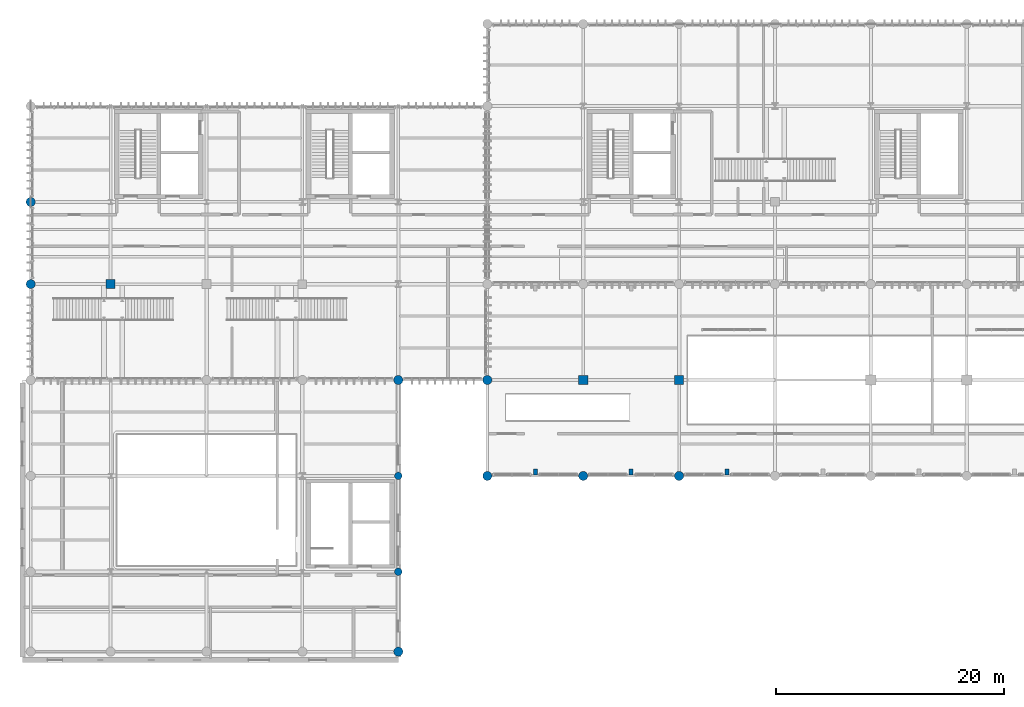
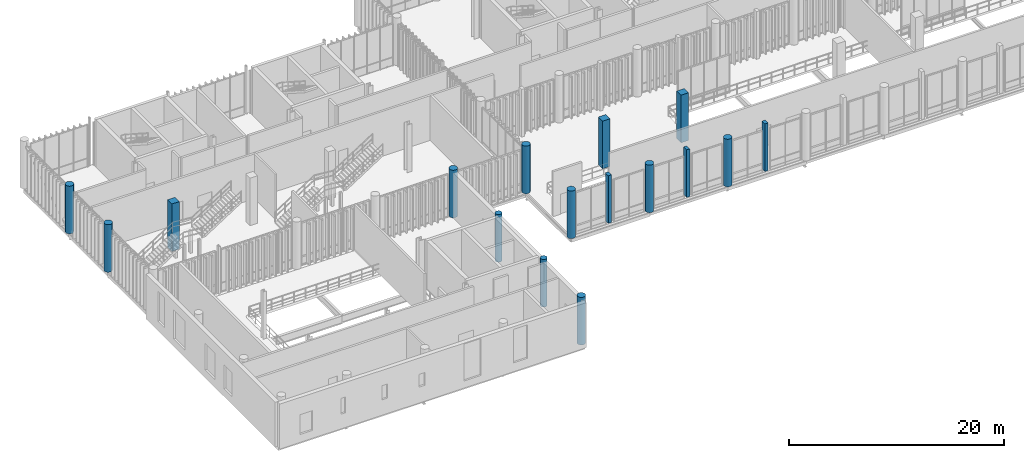
# One storey, part 2 of 128: 16 columns.
"""IFC4 building model written with IfcOpenShell, lengths in metres."""

from ifc_helpers import new_model, si_unit, direction, frame, origin_with_axes, origin_2d_with_axis, place, context, subcontext, project, spatial, rectangle, circle, extrude, material, material_profile, profile_set, type_object, element, save


model = new_model("IFC4")

# Units and contexts
model_context = context("Model", 3, precision=1e-05, world=origin_with_axes(), true_north=direction((0.0, 1.0)))
body_context = subcontext(model_context, "Body", "Model", "MODEL_VIEW")
ifc_project = project(units=[si_unit("LENGTHUNIT", "METRE"), si_unit("AREAUNIT", "SQUARE_METRE"), si_unit("VOLUMEUNIT", "CUBIC_METRE"), si_unit("PLANEANGLEUNIT", "RADIAN"), si_unit("MASSUNIT", "GRAM", prefix="KILO"), si_unit("THERMODYNAMICTEMPERATUREUNIT", "KELVIN")], contexts=[model_context])

# Site, building, storey
site_placement = place(None, origin_with_axes())
site = spatial("IfcSite", under=ifc_project, at=site_placement, CompositionType="ELEMENT")
building_placement = place(site_placement, origin_with_axes())
building = spatial("IfcBuilding", under=site, at=building_placement, Name="Montbau Bow Law Courts", CompositionType="ELEMENT")
storey_placement = place(building_placement, frame((0.0, 0.0, 5.4), z_axis=(0.0, 0.0, 1.0), x_axis=(1.0, 0.0, 0.0)))
storey = spatial("IfcBuildingStorey", under=building, at=storey_placement, Name="L01", CompositionType="ELEMENT", Elevation=5.4)

# Columns
ifc_material_1 = material(Name="Concrete CSA A23.1 f'c 40 MPa", Category="concrete")
ifc_material_profile_1 = material_profile(ifc_material_1, rectangle(XDim=0.35, YDim=0.55, at=origin_2d_with_axis()), Name="RC550X350", Category="Main", Priority=0)
ifc_profile_set_1 = profile_set([ifc_material_profile_1], Name="Concrete CSA A23.1 f'c 40 MPa")
column_type_1 = type_object("IfcColumnType", Name="C-PIL-01", PredefinedType="PILASTER", material=ifc_profile_set_1)
for number, where, z_axis, x_axis, name in (
    (1, (51.0, 22.55, 5.4), (0.0, 0.0, 1.0), (1.0, 0.0, 0.0), "PL-L01-S01:pil2_0003"),
    (2, (59.4, 22.55, 5.4), (0.0, 0.0, 1.0), (1.0, 0.0, 0.0), "PL-L01-S02:pil2_0006"),
    (3, (67.8, 22.55, 5.4), (0.0, 0.0, 1.0), (1.0, 0.0, 0.0), "PL-L01-S03:pil2_0009"),
):
    element("IfcColumn", number, at=place(None, frame(where, z_axis=z_axis, x_axis=x_axis)), inside=storey, type_object=column_type_1, Name=name, PredefinedType="PILASTER", context=body_context, shape_type="SweptSolid", body=[
        extrude(rectangle(XDim=0.35, YDim=0.55, at=origin_2d_with_axis()), origin_with_axes(), (0.0, 0.0, 1.0), 5.4),
    ])
ifc_material_2 = material(Name="Concrete CSA A23.1 f'c 45 MPa", Category="concrete")
ifc_material_profile_2 = material_profile(ifc_material_2, rectangle(XDim=0.8, YDim=0.8, at=origin_2d_with_axis()), Name="RC800X800", Category="Main", Priority=0)
ifc_profile_set_2 = profile_set([ifc_material_profile_2], Name="Concrete CSA A23.1 f'c 45 MPa")
column_type_2 = type_object("IfcColumnType", Name="C-RC-02", PredefinedType="COLUMN", material=ifc_profile_set_2)
for number, where, z_axis, x_axis, name in (
    (4, (13.8, 39.0, 5.4), (0.0, 0.0, 1.0), (1.0, 0.0, 0.0), "C-L01-S0370:col2_0370"),
    (5, (55.2, 30.6, 5.4), (0.0, 0.0, 1.0), (1.0, 0.0, 0.0), "C-L01-S0400:col2_0400"),
    (6, (63.6, 30.6, 5.4), (0.0, 0.0, 1.0), (1.0, 0.0, 0.0), "C-L01-S0406:col2_0406"),
):
    element("IfcColumn", number, at=place(None, frame(where, z_axis=z_axis, x_axis=x_axis)), inside=storey, type_object=column_type_2, Name=name, PredefinedType="COLUMN", context=body_context, shape_type="SweptSolid", body=[
        extrude(rectangle(XDim=0.8, YDim=0.8, at=origin_2d_with_axis()), origin_with_axes(), (0.0, 0.0, 1.0), 5.4),
    ])
ifc_material_profile_3 = material_profile(ifc_material_1, circle(Radius=0.4, at=origin_2d_with_axis()), Name="RC800D", Category="Main", Priority=0)
ifc_profile_set_3 = profile_set([ifc_material_profile_3], Name="Concrete CSA A23.1 f'c 40 MPa")
column_type_3 = type_object("IfcColumnType", Name="C-RC-07", PredefinedType="COLUMN", material=ifc_profile_set_3)
for number, where, z_axis, x_axis, name in (
    (7, (6.8, 39.0, 5.4), (0.0, 0.0, 1.0), (1.0, 0.0, 0.0), "C-L01-S0363:col2_0363"),
    (8, (6.8, 46.2, 5.4), (0.0, 0.0, 1.0), (1.0, 0.0, 0.0), "C-L01-S0364:col2_0364"),
    (9, (39.0, 6.8, 5.4), (0.0, 0.0, 1.0), (1.0, 0.0, 0.0), "C-L01-S0386:col2_0386"),
    (10, (39.0, 30.6, 5.4), (0.0, 0.0, 1.0), (1.0, 0.0, 0.0), "C-L01-S0389:col2_0389"),
    (11, (46.8, 22.2, 5.4), (0.0, 0.0, 1.0), (1.0, 0.0, 0.0), "C-L01-S0393:col2_0393"),
    (12, (46.8, 30.6, 5.4), (0.0, 0.0, 1.0), (1.0, 0.0, 0.0), "C-L01-S0394:col2_0394"),
    (13, (55.2, 22.2, 5.4), (0.0, 0.0, 1.0), (1.0, 0.0, 0.0), "C-L01-S0399:col2_0399"),
    (14, (63.6, 22.2, 5.4), (0.0, 0.0, 1.0), (1.0, 0.0, 0.0), "C-L01-S0405:col2_0405"),
):
    element("IfcColumn", number, at=place(None, frame(where, z_axis=z_axis, x_axis=x_axis)), inside=storey, type_object=column_type_3, Name=name, PredefinedType="COLUMN", context=body_context, shape_type="SweptSolid", body=[
        extrude(circle(Radius=0.4, at=origin_2d_with_axis()), origin_with_axes(), (0.0, 0.0, 1.0), 5.4),
    ])
ifc_material_profile_4 = material_profile(ifc_material_1, circle(Radius=0.325, at=origin_2d_with_axis()), Name="RC650D", Category="Main", Priority=0)
ifc_profile_set_4 = profile_set([ifc_material_profile_4], Name="Concrete CSA A23.1 f'c 40 MPa")
column_type_4 = type_object("IfcColumnType", Name="C-RC-08", PredefinedType="COLUMN", material=ifc_profile_set_4)
for number, where, z_axis, x_axis, name in (
    (15, (39.0, 13.8, 5.4), (0.0, 0.0, 1.0), (1.0, 0.0, 0.0), "C-L01-S0387:col2_0387"),
    (16, (39.0, 22.2, 5.4), (0.0, 0.0, 1.0), (1.0, 0.0, 0.0), "C-L01-S0388:col2_0388"),
):
    element("IfcColumn", number, at=place(None, frame(where, z_axis=z_axis, x_axis=x_axis)), inside=storey, type_object=column_type_4, Name=name, PredefinedType="COLUMN", context=body_context, shape_type="SweptSolid", body=[
        extrude(circle(Radius=0.325, at=origin_2d_with_axis()), origin_with_axes(), (0.0, 0.0, 1.0), 5.4),
    ])

save(model, "model.ifc")
